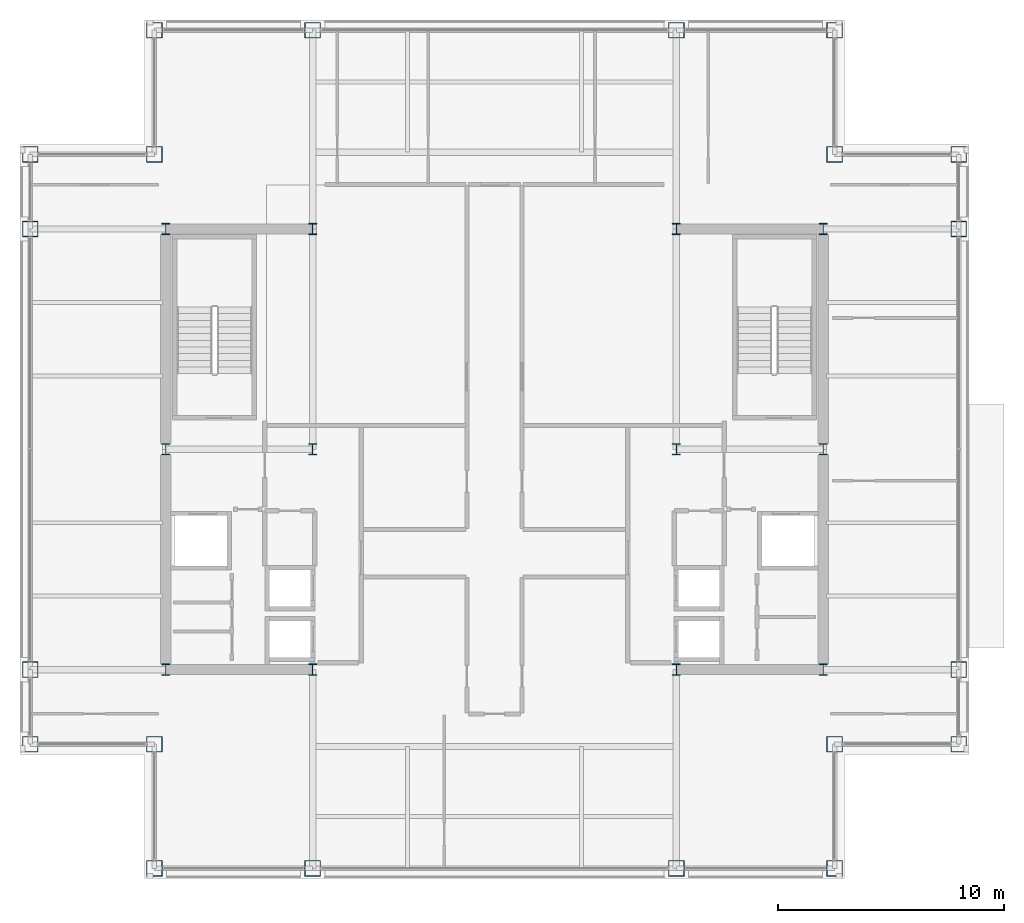
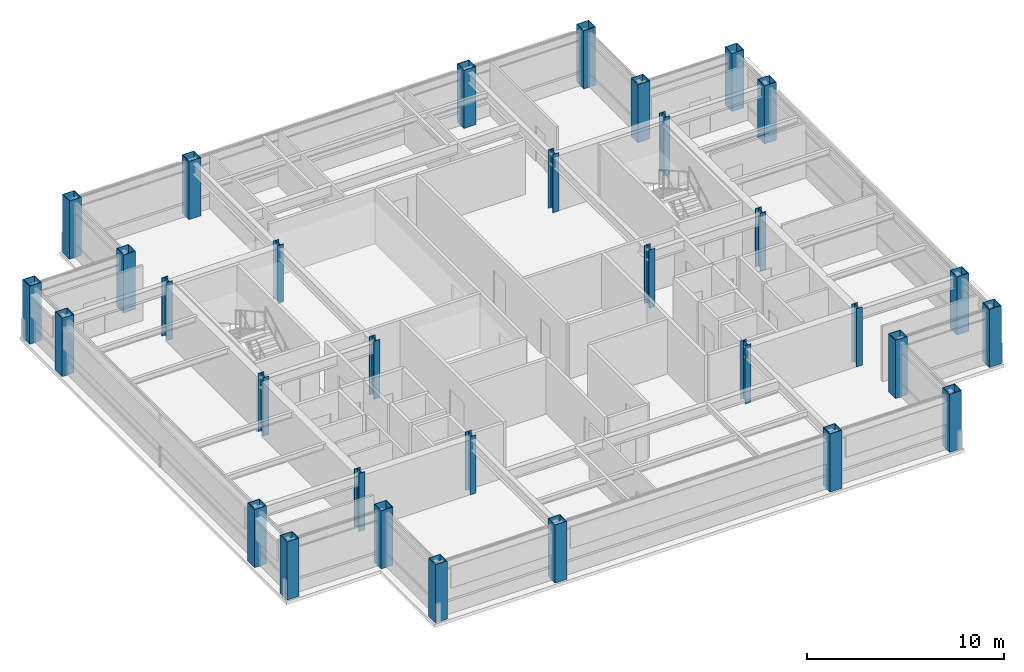
# One storey, part 1 of 26: 32 columns.
"""IFC4 building model written with IfcOpenShell, lengths in metres."""

from ifc_helpers import new_model, si_unit, direction, frame, origin, origin_2d, place, context, subcontext, project, spatial, hollow_rectangle, i_section, extrude, material, material_profile, profile_set, type_object, element, save


model = new_model("IFC4")

# Units and contexts
model_context = context("Model", 3, precision=1e-05, world=origin(), true_north=direction((0.0, 1.0)))
body_context = subcontext(model_context, "Body", "Model", "MODEL_VIEW")
ifc_project = project(units=[si_unit("LENGTHUNIT", "METRE"), si_unit("AREAUNIT", "SQUARE_METRE"), si_unit("VOLUMEUNIT", "CUBIC_METRE"), si_unit("PLANEANGLEUNIT", "RADIAN"), si_unit("MASSUNIT", "GRAM", prefix="KILO")], contexts=[model_context])

# Site, building, storey
site_placement = place(None, origin())
site = spatial("IfcSite", under=ifc_project, at=site_placement, CompositionType="ELEMENT")
building_placement = place(site_placement, origin())
building = spatial("IfcBuilding", under=site, at=building_placement, Name="Brelmoor Portico Tower", CompositionType="ELEMENT")
storey_placement = place(building_placement, frame((0.0, 0.0, 205.5)))
storey = spatial("IfcBuildingStorey", under=building, at=storey_placement, Name="L54", CompositionType="ELEMENT", Elevation=205.5)

# Columns
ifc_material = material(Name="Steel Q355B", Category="steel")
ifc_material_profile_1 = material_profile(ifc_material, hollow_rectangle(XDim=0.699951171875, YDim=0.699951171875, WallThickness=0.030029296875, at=origin_2d()), Name="BOX 700x700x30")
ifc_profile_set_1 = profile_set([ifc_material_profile_1], Name="Steel Q355B")
column_type_1 = type_object("IfcColumnType", Name="COL-MEGA-700", PredefinedType="COLUMN", material=ifc_profile_set_1)
for number, where, z_axis, x_axis, name in (
    (1, (-15.050048828125, -18.550048828125, 0.0), (0.0, 0.0, 1.0), (1.0, 0.0, 0.0), "L54 Perimeter Mega-Column PS01"),
    (2, (-8.050048828125, -18.550048828125, 0.0), (0.0, 0.0, 1.0), (1.0, 0.0, 0.0), "L54 Perimeter Mega-Column PS02"),
    (3, (8.050048828125, -18.550048828125, 0.0), (0.0, 0.0, 1.0), (1.0, 0.0, 0.0), "L54 Perimeter Mega-Column PS03"),
    (4, (15.050048828125, -18.550048828125, 0.0), (0.0, 0.0, 1.0), (1.0, 0.0, 0.0), "L54 Perimeter Mega-Column PS04"),
    (5, (-15.050048828125, 18.550048828125, 0.0), (0.0, 0.0, 1.0), (1.0, 0.0, 0.0), "L54 Perimeter Mega-Column PN01"),
    (6, (-8.050048828125, 18.550048828125, 0.0), (0.0, 0.0, 1.0), (1.0, 0.0, 0.0), "L54 Perimeter Mega-Column PN02"),
    (7, (8.050048828125, 18.550048828125, 0.0), (0.0, 0.0, 1.0), (1.0, 0.0, 0.0), "L54 Perimeter Mega-Column PN03"),
    (8, (15.050048828125, 18.550048828125, 0.0), (0.0, 0.0, 1.0), (1.0, 0.0, 0.0), "L54 Perimeter Mega-Column PN04"),
    (9, (-20.550048828125, -13.050048828125, 0.0), (0.0, 0.0, 1.0), (0.0, 1.0, 0.0), "L54 Perimeter Mega-Column PW01"),
    (10, (-20.550048828125, -9.75, 0.0), (0.0, 0.0, 1.0), (0.0, 1.0, 0.0), "L54 Perimeter Mega-Column PW02"),
    (11, (-20.550048828125, 9.75, 0.0), (0.0, 0.0, 1.0), (0.0, 1.0, 0.0), "L54 Perimeter Mega-Column PW03"),
    (12, (-20.550048828125, 13.050048828125, 0.0), (0.0, 0.0, 1.0), (0.0, 1.0, 0.0), "L54 Perimeter Mega-Column PW04"),
    (13, (20.550048828125, -13.050048828125, 0.0), (0.0, 0.0, 1.0), (0.0, 1.0, 0.0), "L54 Perimeter Mega-Column PE01"),
    (14, (20.550048828125, -9.75, 0.0), (0.0, 0.0, 1.0), (0.0, 1.0, 0.0), "L54 Perimeter Mega-Column PE02"),
    (15, (20.550048828125, 9.75, 0.0), (0.0, 0.0, 1.0), (0.0, 1.0, 0.0), "L54 Perimeter Mega-Column PE03"),
    (16, (20.550048828125, 13.050048828125, 0.0), (0.0, 0.0, 1.0), (0.0, 1.0, 0.0), "L54 Perimeter Mega-Column PE04"),
    (17, (-15.050048828125, 13.050048828125, 0.0), (0.0, 0.0, 1.0), (1.0, 0.0, 0.0), "L54 Perimeter Mega-Column PC-NW"),
    (18, (15.050048828125, 13.050048828125, 0.0), (0.0, 0.0, 1.0), (1.0, 0.0, 0.0), "L54 Perimeter Mega-Column PC-NE"),
    (19, (15.050048828125, -13.050048828125, 0.0), (0.0, 0.0, 1.0), (1.0, 0.0, 0.0), "L54 Perimeter Mega-Column PC-SE"),
    (20, (-15.050048828125, -13.050048828125, 0.0), (0.0, 0.0, 1.0), (1.0, 0.0, 0.0), "L54 Perimeter Mega-Column PC-SW"),
):
    element("IfcColumn", number, at=place(storey_placement, frame(where, z_axis=z_axis, x_axis=x_axis)), inside=storey, type_object=column_type_1, Name=name, PredefinedType="COLUMN", context=body_context, shape_type="SweptSolid", body=[
        extrude(hollow_rectangle(XDim=0.699951171875, YDim=0.699951171875, WallThickness=0.030029296875, at=origin_2d()), origin(), (0.0, 0.0, 1.0), 3.60009765625),
    ])
ifc_material_profile_2 = material_profile(ifc_material, i_section(OverallWidth=0.35009765625, OverallDepth=0.5, WebThickness=0.02001953125, FlangeThickness=0.031982421875, at=origin_2d()), Name="HW 500x350x20x32")
ifc_profile_set_2 = profile_set([ifc_material_profile_2], Name="Steel Q355B")
column_type_2 = type_object("IfcColumnType", Name="COL-SPINE-500", PredefinedType="COLUMN", material=ifc_profile_set_2)
for number, where, z_axis, x_axis, name in (
    (21, (-14.550048828125, -9.75, 0.0), (0.0, 0.0, 1.0), (1.0, 0.0, 0.0), "L54 Core Spine Column CW-SW"),
    (22, (-14.550048828125, 0.0, 0.0), (0.0, 0.0, 1.0), (1.0, 0.0, 0.0), "L54 Core Spine Column CW-MW"),
    (23, (-14.550048828125, 9.75, 0.0), (0.0, 0.0, 1.0), (1.0, 0.0, 0.0), "L54 Core Spine Column CW-NW"),
    (24, (-8.050048828125, -9.75, 0.0), (0.0, 0.0, 1.0), (1.0, 0.0, 0.0), "L54 Core Spine Column CW-SE"),
    (25, (-8.050048828125, 0.0, 0.0), (0.0, 0.0, 1.0), (1.0, 0.0, 0.0), "L54 Core Spine Column CW-ME"),
    (26, (-8.050048828125, 9.75, 0.0), (0.0, 0.0, 1.0), (1.0, 0.0, 0.0), "L54 Core Spine Column CW-NE"),
    (27, (8.050048828125, -9.75, 0.0), (0.0, 0.0, 1.0), (1.0, 0.0, 0.0), "L54 Core Spine Column CE-SW"),
    (28, (8.050048828125, 0.0, 0.0), (0.0, 0.0, 1.0), (1.0, 0.0, 0.0), "L54 Core Spine Column CE-MW"),
    (29, (8.050048828125, 9.75, 0.0), (0.0, 0.0, 1.0), (1.0, 0.0, 0.0), "L54 Core Spine Column CE-NW"),
    (30, (14.550048828125, -9.75, 0.0), (0.0, 0.0, 1.0), (1.0, 0.0, 0.0), "L54 Core Spine Column CE-SE"),
    (31, (14.550048828125, 0.0, 0.0), (0.0, 0.0, 1.0), (1.0, 0.0, 0.0), "L54 Core Spine Column CE-ME"),
    (32, (14.550048828125, 9.75, 0.0), (0.0, 0.0, 1.0), (1.0, 0.0, 0.0), "L54 Core Spine Column CE-NE"),
):
    element("IfcColumn", number, at=place(storey_placement, frame(where, z_axis=z_axis, x_axis=x_axis)), inside=storey, type_object=column_type_2, Name=name, PredefinedType="COLUMN", context=body_context, shape_type="SweptSolid", body=[
        extrude(i_section(OverallWidth=0.35009765625, OverallDepth=0.5, WebThickness=0.02001953125, FlangeThickness=0.031982421875, at=origin_2d()), origin(), (0.0, 0.0, 1.0), 3.60009765625),
    ])

save(model, "model.ifc")
